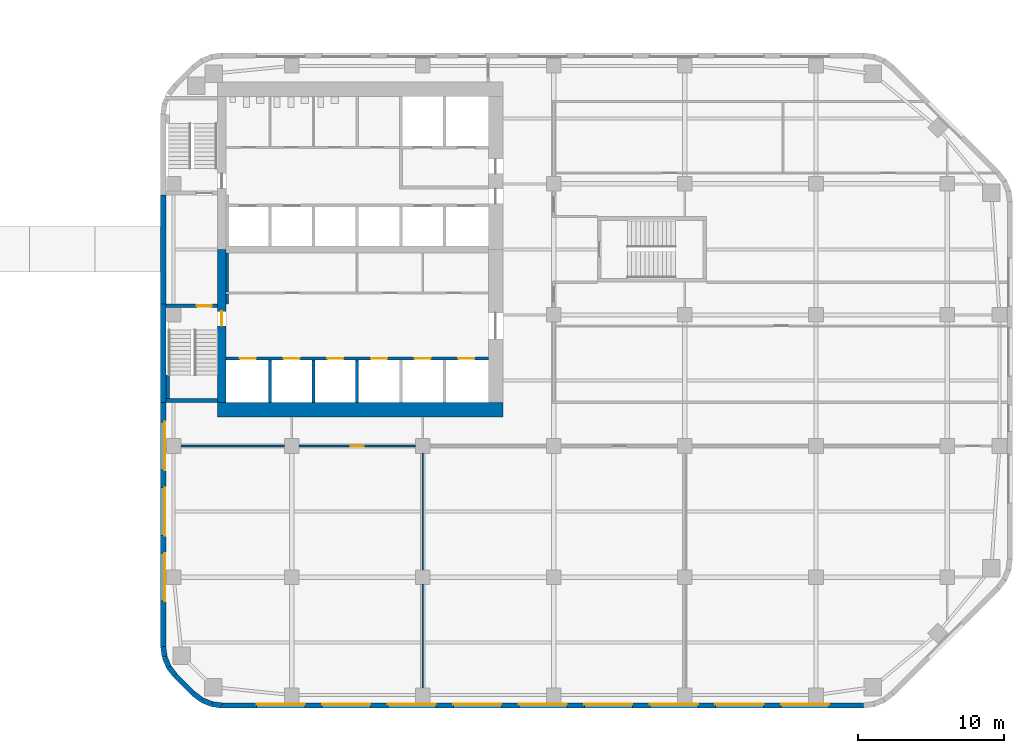
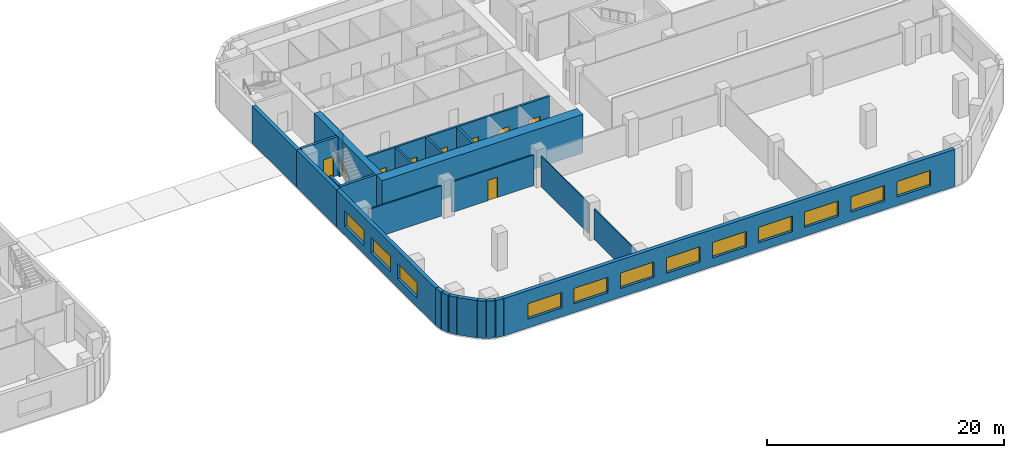
# One storey, part 8 of 15: 26 walls, 12 windows, 9 doors, 21 openings.
"""IFC4 building model written with IfcOpenShell, lengths in metres."""

from ifc_helpers import new_model, si_unit, direction, frame, frame_2d, origin, place, context, subcontext, project, spatial, rectangle, extrude, material, layer, layer_set, type_object, element, fill, save


model = new_model("IFC4")

# Units and contexts
model_context = context("Model", 3, precision=1e-05, world=origin(), true_north=direction((0.0, 1.0)))
body_context = subcontext(model_context, "Body", "Model", "MODEL_VIEW")
ifc_project = project(units=[si_unit("LENGTHUNIT", "METRE"), si_unit("AREAUNIT", "SQUARE_METRE"), si_unit("VOLUMEUNIT", "CUBIC_METRE"), si_unit("PLANEANGLEUNIT", "RADIAN"), si_unit("MASSUNIT", "GRAM", prefix="KILO")], contexts=[model_context])

# Site, building, storey
site_placement = place(None, origin())
site = spatial("IfcSite", under=ifc_project, at=site_placement, CompositionType="ELEMENT")
building_placement = place(site_placement, origin())
building = spatial("IfcBuilding", under=site, at=building_placement, Name="Cinnabar Reach Civic Tower", CompositionType="ELEMENT")
storey_placement = place(building_placement, frame((0.0, 0.0, 75.0)))
storey = spatial("IfcBuildingStorey", under=building, at=storey_placement, Name="L17", CompositionType="ELEMENT", Elevation=75.0)

# Walls
ifc_material_1 = material(Name="Facing brick with insulated backing", Category="masonry")
ifc_layer_1 = layer(ifc_material_1, 0.36)
ifc_layer_set_1 = layer_set([ifc_layer_1], Name="Brick corner wall")
wall_type_1 = type_object("IfcWallType", Name="Brick corner wall", PredefinedType="STANDARD", material=ifc_layer_set_1)
for number, where, z_axis, x_axis, name in (
    (1, (0.183, 4.2314, 0.0), (0.0, 0.0, 1.0), (0.13055608231, -0.99144092581, 0.0), "Brick corner wall"),
    (2, (0.2819, 3.5027, 0.0), (0.0, 0.0, 1.0), (0.382702709855, -0.923871547278, 0.0), "Brick corner wall"),
):
    element("IfcWall", number, at=place(storey_placement, frame(where, z_axis=z_axis, x_axis=x_axis)), inside=storey, type_object=wall_type_1, Name=name, PredefinedType="STANDARD", context=body_context, shape_type="SweptSolid", body=[
        extrude(rectangle(XDim=0.7131, YDim=0.36, at=frame_2d((0.3565, 0.0))), origin(), (0.0, 0.0, 1.0), 3.85),
    ])
for number, where, z_axis, x_axis, name in (
    (3, (0.566, 2.8245, 0.0), (0.0, 0.0, 1.0), (0.608802368033, -0.793321924995, 0.0), "Brick corner wall"),
    (4, (2.2587, 1.0002, 0.0), (0.0, 0.0, 1.0), (0.793321924995, -0.608802368033, 0.0), "Brick corner wall"),
):
    element("IfcWall", number, at=place(storey_placement, frame(where, z_axis=z_axis, x_axis=x_axis)), inside=storey, type_object=wall_type_1, Name=name, PredefinedType="STANDARD", context=body_context, shape_type="SweptSolid", body=[
        extrude(rectangle(XDim=0.7132, YDim=0.36, at=frame_2d((0.3566, 0.0))), origin(), (0.0, 0.0, 1.0), 3.85),
    ])
for number, where, z_axis, x_axis, name in (
    (5, (2.8439, 0.5548, 0.0), (0.0, 0.0, 1.0), (0.923871547278, -0.382702709855, 0.0), "Brick corner wall"),
    (6, (3.5244, 0.2761, 0.0), (0.0, 0.0, 1.0), (0.99144092581, -0.13055608231, 0.0), "Brick corner wall"),
):
    element("IfcWall", number, at=place(storey_placement, frame(where, z_axis=z_axis, x_axis=x_axis)), inside=storey, type_object=wall_type_1, Name=name, PredefinedType="STANDARD", context=body_context, shape_type="SweptSolid", body=[
        extrude(rectangle(XDim=0.7131, YDim=0.36, at=frame_2d((0.3565, 0.0))), origin(), (0.0, 0.0, 1.0), 3.85),
    ])

# Wall, openings, windows
ifc_layer_2 = layer(ifc_material_1, 0.36)
ifc_layer_set_2 = layer_set([ifc_layer_2], Name="Brick pier and spandrel wall")
wall_type_2 = type_object("IfcWallType", Name="Brick pier and spandrel wall", PredefinedType="STANDARD", material=ifc_layer_set_2)
wall_1_placement = place(storey_placement, frame((4.2426, 0.18, 0.0), z_axis=(0.0, 0.0, 1.0), x_axis=(1.0, 0.0, 0.0)))
wall_1 = element("IfcWall", 7, at=wall_1_placement, inside=storey, type_object=wall_type_2, Name="Brick facade wall", PredefinedType="STANDARD", context=body_context, shape_type="SweptSolid", body=[
    extrude(rectangle(XDim=44.0148, YDim=0.36, at=frame_2d((22.0074, 0.0))), origin(), (0.0, 0.0, 1.0), 3.85),
])
opening_1_placement = place(wall_1_placement, frame((2.3574, 0.0, 0.9)))
opening_1 = element("IfcOpeningElement", 8, at=opening_1_placement, cuts=wall_1, Name="Opening W1321", PredefinedType="OPENING", context=body_context, shape_type="SweptSolid", body=[
    extrude(rectangle(XDim=3.3, YDim=1.6, at=frame_2d((1.65, 0.8))), frame((0.0, 0.19, 0.0), z_axis=(0.0, -1.0, 0.0), x_axis=(1.0, 0.0, 0.0)), (0.0, 0.0, 1.0), 0.38),
])
opening_2_placement = place(wall_1_placement, frame((6.8574, 0.0, 0.9)))
opening_2 = element("IfcOpeningElement", 9, at=opening_2_placement, cuts=wall_1, Name="Opening W1322", PredefinedType="OPENING", context=body_context, shape_type="SweptSolid", body=[
    extrude(rectangle(XDim=3.3, YDim=1.6, at=frame_2d((1.65, 0.8))), frame((0.0, 0.19, 0.0), z_axis=(0.0, -1.0, 0.0), x_axis=(1.0, 0.0, 0.0)), (0.0, 0.0, 1.0), 0.38),
])
opening_3_placement = place(wall_1_placement, frame((11.3574, 0.0, 0.9)))
opening_3 = element("IfcOpeningElement", 10, at=opening_3_placement, cuts=wall_1, Name="Opening W1323", PredefinedType="OPENING", context=body_context, shape_type="SweptSolid", body=[
    extrude(rectangle(XDim=3.3, YDim=1.6, at=frame_2d((1.65, 0.8))), frame((0.0, 0.19, 0.0), z_axis=(0.0, -1.0, 0.0), x_axis=(1.0, 0.0, 0.0)), (0.0, 0.0, 1.0), 0.38),
])
opening_4_placement = place(wall_1_placement, frame((15.8574, 0.0, 0.9)))
opening_4 = element("IfcOpeningElement", 11, at=opening_4_placement, cuts=wall_1, Name="Opening W1324", PredefinedType="OPENING", context=body_context, shape_type="SweptSolid", body=[
    extrude(rectangle(XDim=3.3, YDim=1.6, at=frame_2d((1.65, 0.8))), frame((0.0, 0.19, 0.0), z_axis=(0.0, -1.0, 0.0), x_axis=(1.0, 0.0, 0.0)), (0.0, 0.0, 1.0), 0.38),
])
opening_5_placement = place(wall_1_placement, frame((20.3574, 0.0, 0.9)))
opening_5 = element("IfcOpeningElement", 12, at=opening_5_placement, cuts=wall_1, Name="Opening W1325", PredefinedType="OPENING", context=body_context, shape_type="SweptSolid", body=[
    extrude(rectangle(XDim=3.3, YDim=1.6, at=frame_2d((1.65, 0.8))), frame((0.0, 0.19, 0.0), z_axis=(0.0, -1.0, 0.0), x_axis=(1.0, 0.0, 0.0)), (0.0, 0.0, 1.0), 0.38),
])
opening_6_placement = place(wall_1_placement, frame((24.8574, 0.0, 0.9)))
opening_6 = element("IfcOpeningElement", 13, at=opening_6_placement, cuts=wall_1, Name="Opening W1326", PredefinedType="OPENING", context=body_context, shape_type="SweptSolid", body=[
    extrude(rectangle(XDim=3.3, YDim=1.6, at=frame_2d((1.65, 0.8))), frame((0.0, 0.19, 0.0), z_axis=(0.0, -1.0, 0.0), x_axis=(1.0, 0.0, 0.0)), (0.0, 0.0, 1.0), 0.38),
])
opening_7_placement = place(wall_1_placement, frame((29.3574, 0.0, 0.9)))
opening_7 = element("IfcOpeningElement", 14, at=opening_7_placement, cuts=wall_1, Name="Opening W1327", PredefinedType="OPENING", context=body_context, shape_type="SweptSolid", body=[
    extrude(rectangle(XDim=3.3, YDim=1.6, at=frame_2d((1.65, 0.8))), frame((0.0, 0.19, 0.0), z_axis=(0.0, -1.0, 0.0), x_axis=(1.0, 0.0, 0.0)), (0.0, 0.0, 1.0), 0.38),
])
opening_8_placement = place(wall_1_placement, frame((33.8574, 0.0, 0.9)))
opening_8 = element("IfcOpeningElement", 15, at=opening_8_placement, cuts=wall_1, Name="Opening W1328", PredefinedType="OPENING", context=body_context, shape_type="SweptSolid", body=[
    extrude(rectangle(XDim=3.3, YDim=1.6, at=frame_2d((1.65, 0.8))), frame((0.0, 0.19, 0.0), z_axis=(0.0, -1.0, 0.0), x_axis=(1.0, 0.0, 0.0)), (0.0, 0.0, 1.0), 0.38),
])
opening_9_placement = place(wall_1_placement, frame((38.3574, 0.0, 0.9)))
opening_9 = element("IfcOpeningElement", 16, at=opening_9_placement, cuts=wall_1, Name="Opening W1329", PredefinedType="OPENING", context=body_context, shape_type="SweptSolid", body=[
    extrude(rectangle(XDim=3.3, YDim=1.6, at=frame_2d((1.65, 0.8))), frame((0.0, 0.19, 0.0), z_axis=(0.0, -1.0, 0.0), x_axis=(1.0, 0.0, 0.0)), (0.0, 0.0, 1.0), 0.38),
])
ifc_material_2 = material(Name="Clear double glazing in aluminium frame", Category="aluminium")
window_type = type_object("IfcWindowType", Name="Deep-set window A", PartitioningType="SINGLE_PANEL", PredefinedType="WINDOW", material=ifc_material_2)
window_1_placement = place(opening_1_placement, origin())
window_1 = element("IfcWindow", 17, at=window_1_placement, inside=storey, type_object=window_type, Name="Window south face", OverallHeight=1.6, OverallWidth=3.3, PartitioningType="SINGLE_PANEL", PredefinedType="WINDOW", context=body_context, shape_type="SweptSolid", body=[
    extrude(rectangle(XDim=3.3, YDim=1.6, at=frame_2d((1.65, 0.8))), frame((0.0, 0.13, 0.0), z_axis=(0.0, -1.0, 0.0), x_axis=(1.0, 0.0, 0.0)), (0.0, 0.0, 1.0), 0.06),
])
fill(opening_1, window_1)
window_2_placement = place(opening_2_placement, origin())
window_2 = element("IfcWindow", 18, at=window_2_placement, inside=storey, type_object=window_type, Name="Window south face", OverallHeight=1.6, OverallWidth=3.3, PartitioningType="SINGLE_PANEL", PredefinedType="WINDOW", context=body_context, shape_type="SweptSolid", body=[
    extrude(rectangle(XDim=3.3, YDim=1.6, at=frame_2d((1.65, 0.8))), frame((0.0, 0.13, 0.0), z_axis=(0.0, -1.0, 0.0), x_axis=(1.0, 0.0, 0.0)), (0.0, 0.0, 1.0), 0.06),
])
fill(opening_2, window_2)
window_3_placement = place(opening_3_placement, origin())
window_3 = element("IfcWindow", 19, at=window_3_placement, inside=storey, type_object=window_type, Name="Window south face", OverallHeight=1.6, OverallWidth=3.3, PartitioningType="SINGLE_PANEL", PredefinedType="WINDOW", context=body_context, shape_type="SweptSolid", body=[
    extrude(rectangle(XDim=3.3, YDim=1.6, at=frame_2d((1.65, 0.8))), frame((0.0, 0.13, 0.0), z_axis=(0.0, -1.0, 0.0), x_axis=(1.0, 0.0, 0.0)), (0.0, 0.0, 1.0), 0.06),
])
fill(opening_3, window_3)
window_4_placement = place(opening_4_placement, origin())
window_4 = element("IfcWindow", 20, at=window_4_placement, inside=storey, type_object=window_type, Name="Window south face", OverallHeight=1.6, OverallWidth=3.3, PartitioningType="SINGLE_PANEL", PredefinedType="WINDOW", context=body_context, shape_type="SweptSolid", body=[
    extrude(rectangle(XDim=3.3, YDim=1.6, at=frame_2d((1.65, 0.8))), frame((0.0, 0.13, 0.0), z_axis=(0.0, -1.0, 0.0), x_axis=(1.0, 0.0, 0.0)), (0.0, 0.0, 1.0), 0.06),
])
fill(opening_4, window_4)
window_5_placement = place(opening_5_placement, origin())
window_5 = element("IfcWindow", 21, at=window_5_placement, inside=storey, type_object=window_type, Name="Window south face", OverallHeight=1.6, OverallWidth=3.3, PartitioningType="SINGLE_PANEL", PredefinedType="WINDOW", context=body_context, shape_type="SweptSolid", body=[
    extrude(rectangle(XDim=3.3, YDim=1.6, at=frame_2d((1.65, 0.8))), frame((0.0, 0.13, 0.0), z_axis=(0.0, -1.0, 0.0), x_axis=(1.0, 0.0, 0.0)), (0.0, 0.0, 1.0), 0.06),
])
fill(opening_5, window_5)
window_6_placement = place(opening_6_placement, origin())
window_6 = element("IfcWindow", 22, at=window_6_placement, inside=storey, type_object=window_type, Name="Window south face", OverallHeight=1.6, OverallWidth=3.3, PartitioningType="SINGLE_PANEL", PredefinedType="WINDOW", context=body_context, shape_type="SweptSolid", body=[
    extrude(rectangle(XDim=3.3, YDim=1.6, at=frame_2d((1.65, 0.8))), frame((0.0, 0.13, 0.0), z_axis=(0.0, -1.0, 0.0), x_axis=(1.0, 0.0, 0.0)), (0.0, 0.0, 1.0), 0.06),
])
fill(opening_6, window_6)
window_7_placement = place(opening_7_placement, origin())
window_7 = element("IfcWindow", 23, at=window_7_placement, inside=storey, type_object=window_type, Name="Window south face", OverallHeight=1.6, OverallWidth=3.3, PartitioningType="SINGLE_PANEL", PredefinedType="WINDOW", context=body_context, shape_type="SweptSolid", body=[
    extrude(rectangle(XDim=3.3, YDim=1.6, at=frame_2d((1.65, 0.8))), frame((0.0, 0.13, 0.0), z_axis=(0.0, -1.0, 0.0), x_axis=(1.0, 0.0, 0.0)), (0.0, 0.0, 1.0), 0.06),
])
fill(opening_7, window_7)
window_8_placement = place(opening_8_placement, origin())
window_8 = element("IfcWindow", 24, at=window_8_placement, inside=storey, type_object=window_type, Name="Window south face", OverallHeight=1.6, OverallWidth=3.3, PartitioningType="SINGLE_PANEL", PredefinedType="WINDOW", context=body_context, shape_type="SweptSolid", body=[
    extrude(rectangle(XDim=3.3, YDim=1.6, at=frame_2d((1.65, 0.8))), frame((0.0, 0.13, 0.0), z_axis=(0.0, -1.0, 0.0), x_axis=(1.0, 0.0, 0.0)), (0.0, 0.0, 1.0), 0.06),
])
fill(opening_8, window_8)
window_9_placement = place(opening_9_placement, origin())
window_9 = element("IfcWindow", 25, at=window_9_placement, inside=storey, type_object=window_type, Name="Window south face", OverallHeight=1.6, OverallWidth=3.3, PartitioningType="SINGLE_PANEL", PredefinedType="WINDOW", context=body_context, shape_type="SweptSolid", body=[
    extrude(rectangle(XDim=3.3, YDim=1.6, at=frame_2d((1.65, 0.8))), frame((0.0, 0.13, 0.0), z_axis=(0.0, -1.0, 0.0), x_axis=(1.0, 0.0, 0.0)), (0.0, 0.0, 1.0), 0.06),
])
fill(opening_9, window_9)

# Walls
wall_2_placement = place(storey_placement, frame((0.18, 35.25, 0.0), z_axis=(0.0, 0.0, 1.0), x_axis=(0.0, -1.0, 0.0)))
element("IfcWall", 26, at=wall_2_placement, inside=storey, type_object=wall_type_2, Name="Brick facade wall", PredefinedType="STANDARD", context=body_context, shape_type="SweptSolid", body=[
    extrude(rectangle(XDim=7.5, YDim=0.36, at=frame_2d((3.75, 0.0))), origin(), (0.0, 0.0, 1.0), 3.85),
])
wall_3_placement = place(storey_placement, frame((0.18, 27.75, 0.0), z_axis=(0.0, 0.0, 1.0), x_axis=(0.0, -1.0, 0.0)))
element("IfcWall", 27, at=wall_3_placement, inside=storey, type_object=wall_type_2, Name="Brick facade wall", PredefinedType="STANDARD", context=body_context, shape_type="SweptSolid", body=[
    extrude(rectangle(XDim=6.75, YDim=0.36, at=frame_2d((3.375, 0.0))), origin(), (0.0, 0.0, 1.0), 3.85),
])

# Wall, openings, windows
wall_4_placement = place(storey_placement, frame((0.18, 21.0, 0.0), z_axis=(0.0, 0.0, 1.0), x_axis=(0.0, -1.0, 0.0)))
wall_4 = element("IfcWall", 28, at=wall_4_placement, inside=storey, type_object=wall_type_2, Name="Brick facade wall", PredefinedType="STANDARD", context=body_context, shape_type="SweptSolid", body=[
    extrude(rectangle(XDim=16.7574, YDim=0.36, at=frame_2d((8.3787, 0.0))), origin(), (0.0, 0.0, 1.0), 3.85),
])
opening_10_placement = place(wall_4_placement, frame((1.35, 0.0, 0.9)))
opening_10 = element("IfcOpeningElement", 29, at=opening_10_placement, cuts=wall_4, Name="Opening W1345", PredefinedType="OPENING", context=body_context, shape_type="SweptSolid", body=[
    extrude(rectangle(XDim=3.3, YDim=1.6, at=frame_2d((1.65, 0.8))), frame((0.0, 0.19, 0.0), z_axis=(0.0, -1.0, 0.0), x_axis=(1.0, 0.0, 0.0)), (0.0, 0.0, 1.0), 0.38),
])
opening_11_placement = place(wall_4_placement, frame((5.85, 0.0, 0.9)))
opening_11 = element("IfcOpeningElement", 30, at=opening_11_placement, cuts=wall_4, Name="Opening W1346", PredefinedType="OPENING", context=body_context, shape_type="SweptSolid", body=[
    extrude(rectangle(XDim=3.3, YDim=1.6, at=frame_2d((1.65, 0.8))), frame((0.0, 0.19, 0.0), z_axis=(0.0, -1.0, 0.0), x_axis=(1.0, 0.0, 0.0)), (0.0, 0.0, 1.0), 0.38),
])
opening_12_placement = place(wall_4_placement, frame((10.35, 0.0, 0.9)))
opening_12 = element("IfcOpeningElement", 31, at=opening_12_placement, cuts=wall_4, Name="Opening W1347", PredefinedType="OPENING", context=body_context, shape_type="SweptSolid", body=[
    extrude(rectangle(XDim=3.3, YDim=1.6, at=frame_2d((1.65, 0.8))), frame((0.0, 0.19, 0.0), z_axis=(0.0, -1.0, 0.0), x_axis=(1.0, 0.0, 0.0)), (0.0, 0.0, 1.0), 0.38),
])
window_10_placement = place(opening_10_placement, origin())
window_10 = element("IfcWindow", 32, at=window_10_placement, inside=storey, type_object=window_type, Name="Window west face", OverallHeight=1.6, OverallWidth=3.3, PartitioningType="SINGLE_PANEL", PredefinedType="WINDOW", context=body_context, shape_type="SweptSolid", body=[
    extrude(rectangle(XDim=3.3, YDim=1.6, at=frame_2d((1.65, 0.8))), frame((0.0, 0.13, 0.0), z_axis=(0.0, -1.0, 0.0), x_axis=(1.0, 0.0, 0.0)), (0.0, 0.0, 1.0), 0.06),
])
fill(opening_10, window_10)
window_11_placement = place(opening_11_placement, origin())
window_11 = element("IfcWindow", 33, at=window_11_placement, inside=storey, type_object=window_type, Name="Window west face", OverallHeight=1.6, OverallWidth=3.3, PartitioningType="SINGLE_PANEL", PredefinedType="WINDOW", context=body_context, shape_type="SweptSolid", body=[
    extrude(rectangle(XDim=3.3, YDim=1.6, at=frame_2d((1.65, 0.8))), frame((0.0, 0.13, 0.0), z_axis=(0.0, -1.0, 0.0), x_axis=(1.0, 0.0, 0.0)), (0.0, 0.0, 1.0), 0.06),
])
fill(opening_11, window_11)
window_12_placement = place(opening_12_placement, origin())
window_12 = element("IfcWindow", 34, at=window_12_placement, inside=storey, type_object=window_type, Name="Window west face", OverallHeight=1.6, OverallWidth=3.3, PartitioningType="SINGLE_PANEL", PredefinedType="WINDOW", context=body_context, shape_type="SweptSolid", body=[
    extrude(rectangle(XDim=3.3, YDim=1.6, at=frame_2d((1.65, 0.8))), frame((0.0, 0.13, 0.0), z_axis=(0.0, -1.0, 0.0), x_axis=(1.0, 0.0, 0.0)), (0.0, 0.0, 1.0), 0.06),
])
fill(opening_12, window_12)

# Walls
wall_5_placement = place(storey_placement, frame((1.006, 2.2486, 0.0), z_axis=(0.0, 0.0, 1.0), x_axis=(0.707106781187, -0.707106781187, 0.0)))
element("IfcWall", 35, at=wall_5_placement, inside=storey, type_object=wall_type_2, Name="Brick facade wall", PredefinedType="STANDARD", context=body_context, shape_type="SweptSolid", body=[
    extrude(rectangle(XDim=1.7573, YDim=0.36, at=frame_2d((0.8787, 0.0))), origin(), (0.0, 0.0, 1.0), 3.85),
])
ifc_material_3 = material(Name="Concrete C70", Category="concrete")
ifc_layer_3 = layer(ifc_material_3, 1.0)
ifc_layer_set_3 = layer_set([ifc_layer_3], Name="Core wall 1000 EI 180")
wall_type_3 = type_object("IfcWallType", Name="Core wall 1000 EI 180", PredefinedType="SOLIDWALL", material=ifc_layer_set_3)
wall_6_placement = place(storey_placement, frame((3.9, 20.5, 0.0), z_axis=(0.0, 0.0, 1.0), x_axis=(1.0, 0.0, 0.0)))
element("IfcWall", 36, at=wall_6_placement, inside=storey, type_object=wall_type_3, Name="Core wall T1 L17 S", PredefinedType="SOLIDWALL", context=body_context, shape_type="SweptSolid", body=[
    extrude(rectangle(XDim=19.6, YDim=1.0, at=frame_2d((9.8, 0.0))), origin(), (0.0, 0.0, 1.0), 4.0),
])

# Wall, opening, door
ifc_layer_4 = layer(ifc_material_3, 0.6)
ifc_layer_set_4 = layer_set([ifc_layer_4], Name="Core wall 600 EI 180")
wall_type_4 = type_object("IfcWallType", Name="Core wall 600 EI 180", PredefinedType="SOLIDWALL", material=ifc_layer_set_4)
wall_7_placement = place(storey_placement, frame((4.2, 31.5, 0.0), z_axis=(0.0, 0.0, 1.0), x_axis=(0.0, -1.0, 0.0)))
wall_7 = element("IfcWall", 37, at=wall_7_placement, inside=storey, type_object=wall_type_4, Name="Core wall T1 L17 W2", PredefinedType="SOLIDWALL", context=body_context, shape_type="SweptSolid", body=[
    extrude(rectangle(XDim=10.5, YDim=0.6, at=frame_2d((5.25, 0.0))), origin(), (0.0, 0.0, 1.0), 4.0),
])
opening_13_placement = place(wall_7_placement, frame((4.25, 0.0, 0.0)))
opening_13 = element("IfcOpeningElement", 38, at=opening_13_placement, cuts=wall_7, Name="Opening D3675", PredefinedType="OPENING", context=body_context, shape_type="SweptSolid", body=[
    extrude(rectangle(XDim=1.0, YDim=2.1, at=frame_2d((0.5, 1.05))), frame((0.0, 0.31, 0.0), z_axis=(0.0, -1.0, 0.0), x_axis=(1.0, 0.0, 0.0)), (0.0, 0.0, 1.0), 0.62),
])
ifc_material_4 = material(Name="Timber door leaf in steel frame", Category="steel")
door_type_1 = type_object("IfcDoorType", Name="Stair door 1000 x 2100 T1", OperationType="SINGLE_SWING_LEFT", PredefinedType="DOOR", material=ifc_material_4)
door_1_placement = place(opening_13_placement, frame((1.0, 0.0, 0.0), z_axis=(0.0, 0.0, 1.0), x_axis=(-1.0, 0.0, 0.0)))
door_1 = element("IfcDoor", 39, at=door_1_placement, inside=storey, type_object=door_type_1, Name="Door D3675", OperationType="SINGLE_SWING_RIGHT", OverallHeight=2.1, OverallWidth=1.0, PredefinedType="DOOR", context=body_context, shape_type="SweptSolid", body=[
    extrude(rectangle(XDim=1.0, YDim=2.1, at=frame_2d((0.5, 1.05))), frame((0.0, 0.025, 0.0), z_axis=(0.0, -1.0, 0.0), x_axis=(1.0, 0.0, 0.0)), (0.0, 0.0, 1.0), 0.05),
])
fill(opening_13, door_1)

ifc_material_5 = material(Name="Gypsum board on steel studs, double layer", Category="steel")
ifc_layer_5 = layer(ifc_material_5, 0.15)
ifc_layer_set_5 = layer_set([ifc_layer_5], Name="Corridor wall 150 T1")
wall_type_5 = type_object("IfcWallType", Name="Corridor wall 150 T1", PredefinedType="PARTITIONING", material=ifc_layer_set_5)
wall_8_placement = place(storey_placement, frame((9.5, 18.0, 0.0), z_axis=(0.0, 0.0, 1.0), x_axis=(1.0, 0.0, 0.0)))
wall_8 = element("IfcWall", 40, at=wall_8_placement, inside=storey, type_object=wall_type_5, Name="Corridor wall 24", PredefinedType="PARTITIONING", context=body_context, shape_type="SweptSolid", body=[
    extrude(rectangle(XDim=8.0, YDim=0.15, at=frame_2d((4.0, 0.0))), origin(), (0.0, 0.0, 1.0), 3.15),
])
opening_14_placement = place(wall_8_placement, frame((3.55, 0.0, 0.0)))
opening_14 = element("IfcOpeningElement", 41, at=opening_14_placement, cuts=wall_8, Name="Opening D3707", PredefinedType="OPENING", context=body_context, shape_type="SweptSolid", body=[
    extrude(rectangle(XDim=0.9, YDim=2.1, at=frame_2d((0.45, 1.05))), frame((0.0, 0.085, 0.0), z_axis=(0.0, -1.0, 0.0), x_axis=(1.0, 0.0, 0.0)), (0.0, 0.0, 1.0), 0.17),
])
door_type_2 = type_object("IfcDoorType", Name="Single swing door 900 x 2100 corridor T1", OperationType="SINGLE_SWING_LEFT", PredefinedType="DOOR", material=ifc_material_4)
door_2_placement = place(opening_14_placement, frame((0.9, 0.0, 0.0), z_axis=(0.0, 0.0, 1.0), x_axis=(-1.0, 0.0, 0.0)))
door_2 = element("IfcDoor", 42, at=door_2_placement, inside=storey, type_object=door_type_2, Name="Door D3707", OperationType="SINGLE_SWING_RIGHT", OverallHeight=2.1, OverallWidth=0.9, PredefinedType="DOOR", context=body_context, shape_type="SweptSolid", body=[
    extrude(rectangle(XDim=0.9, YDim=2.1, at=frame_2d((0.45, 1.05))), frame((0.0, 0.025, 0.0), z_axis=(0.0, -1.0, 0.0), x_axis=(1.0, 0.0, 0.0)), (0.0, 0.0, 1.0), 0.05),
])
fill(opening_14, door_2)

# Walls
wall_9_placement = place(storey_placement, frame((1.4, 18.0, 0.0), z_axis=(0.0, 0.0, 1.0), x_axis=(1.0, 0.0, 0.0)))
element("IfcWall", 43, at=wall_9_placement, inside=storey, type_object=wall_type_5, Name="Corridor wall 25", PredefinedType="PARTITIONING", context=body_context, shape_type="SweptSolid", body=[
    extrude(rectangle(XDim=7.1, YDim=0.15, at=frame_2d((3.55, 0.0))), origin(), (0.0, 0.0, 1.0), 3.15),
])
wall_10_placement = place(storey_placement, frame((4.575, 27.75, 0.0), z_axis=(0.0, 0.0, 1.0), x_axis=(0.0, 1.0, 0.0)))
element("IfcWall", 44, at=wall_10_placement, inside=storey, type_object=wall_type_5, Name="Corridor wall 34", PredefinedType="PARTITIONING", context=body_context, shape_type="SweptSolid", body=[
    extrude(rectangle(XDim=0.675, YDim=0.15, at=frame_2d((0.3375, 0.0))), origin(), (0.0, 0.0, 1.0), 3.85),
])
wall_11_placement = place(storey_placement, frame((4.575, 28.575, 0.0), z_axis=(0.0, 0.0, 1.0), x_axis=(0.0, 1.0, 0.0)))
element("IfcWall", 45, at=wall_11_placement, inside=storey, type_object=wall_type_5, Name="Corridor wall 35", PredefinedType="PARTITIONING", context=body_context, shape_type="SweptSolid", body=[
    extrude(rectangle(XDim=2.675, YDim=0.15, at=frame_2d((1.3375, 0.0))), origin(), (0.0, 0.0, 1.0), 3.85),
])

# Wall, openings, doors
ifc_material_6 = material(Name="Blockwork", Category="masonry")
ifc_layer_6 = layer(ifc_material_6, 0.2)
ifc_layer_set_6 = layer_set([ifc_layer_6], Name="Lift shaft wall 200 T1")
wall_type_6 = type_object("IfcWallType", Name="Lift shaft wall 200 T1", PredefinedType="PARTITIONING", material=ifc_layer_set_6)
wall_12_placement = place(storey_placement, frame((4.5, 24.0, 0.0), z_axis=(0.0, 0.0, 1.0), x_axis=(1.0, 0.0, 0.0)))
wall_12 = element("IfcWall", 46, at=wall_12_placement, inside=storey, type_object=wall_type_6, Name="Lift shaft wall 4", PredefinedType="PARTITIONING", context=body_context, shape_type="SweptSolid", body=[
    extrude(rectangle(XDim=18.0, YDim=0.2, at=frame_2d((9.0, 0.0))), origin(), (0.0, 0.0, 1.0), 3.85),
])
opening_15_placement = place(wall_12_placement, frame((0.95, 0.0, 0.0)))
opening_15 = element("IfcOpeningElement", 47, at=opening_15_placement, cuts=wall_12, Name="Opening D3679", PredefinedType="OPENING", context=body_context, shape_type="SweptSolid", body=[
    extrude(rectangle(XDim=1.1, YDim=2.1, at=frame_2d((0.55, 1.05))), frame((0.0, 0.11, 0.0), z_axis=(0.0, -1.0, 0.0), x_axis=(1.0, 0.0, 0.0)), (0.0, 0.0, 1.0), 0.22),
])
opening_16_placement = place(wall_12_placement, frame((3.95, 0.0, 0.0)))
opening_16 = element("IfcOpeningElement", 48, at=opening_16_placement, cuts=wall_12, Name="Opening D3680", PredefinedType="OPENING", context=body_context, shape_type="SweptSolid", body=[
    extrude(rectangle(XDim=1.1, YDim=2.1, at=frame_2d((0.55, 1.05))), frame((0.0, 0.11, 0.0), z_axis=(0.0, -1.0, 0.0), x_axis=(1.0, 0.0, 0.0)), (0.0, 0.0, 1.0), 0.22),
])
opening_17_placement = place(wall_12_placement, frame((6.95, 0.0, 0.0)))
opening_17 = element("IfcOpeningElement", 49, at=opening_17_placement, cuts=wall_12, Name="Opening D3681", PredefinedType="OPENING", context=body_context, shape_type="SweptSolid", body=[
    extrude(rectangle(XDim=1.1, YDim=2.1, at=frame_2d((0.55, 1.05))), frame((0.0, 0.11, 0.0), z_axis=(0.0, -1.0, 0.0), x_axis=(1.0, 0.0, 0.0)), (0.0, 0.0, 1.0), 0.22),
])
opening_18_placement = place(wall_12_placement, frame((9.95, 0.0, 0.0)))
opening_18 = element("IfcOpeningElement", 50, at=opening_18_placement, cuts=wall_12, Name="Opening D3682", PredefinedType="OPENING", context=body_context, shape_type="SweptSolid", body=[
    extrude(rectangle(XDim=1.1, YDim=2.1, at=frame_2d((0.55, 1.05))), frame((0.0, 0.11, 0.0), z_axis=(0.0, -1.0, 0.0), x_axis=(1.0, 0.0, 0.0)), (0.0, 0.0, 1.0), 0.22),
])
opening_19_placement = place(wall_12_placement, frame((12.95, 0.0, 0.0)))
opening_19 = element("IfcOpeningElement", 51, at=opening_19_placement, cuts=wall_12, Name="Opening D3683", PredefinedType="OPENING", context=body_context, shape_type="SweptSolid", body=[
    extrude(rectangle(XDim=1.1, YDim=2.1, at=frame_2d((0.55, 1.05))), frame((0.0, 0.11, 0.0), z_axis=(0.0, -1.0, 0.0), x_axis=(1.0, 0.0, 0.0)), (0.0, 0.0, 1.0), 0.22),
])
opening_20_placement = place(wall_12_placement, frame((15.95, 0.0, 0.0)))
opening_20 = element("IfcOpeningElement", 52, at=opening_20_placement, cuts=wall_12, Name="Opening D3684", PredefinedType="OPENING", context=body_context, shape_type="SweptSolid", body=[
    extrude(rectangle(XDim=1.1, YDim=2.1, at=frame_2d((0.55, 1.05))), frame((0.0, 0.11, 0.0), z_axis=(0.0, -1.0, 0.0), x_axis=(1.0, 0.0, 0.0)), (0.0, 0.0, 1.0), 0.22),
])
ifc_material_7 = material(Name="Stainless steel sliding door", Category="steel")
door_type_3 = type_object("IfcDoorType", Name="Lift landing door 1100 x 2100 T1", OperationType="SLIDING_TO_LEFT", PredefinedType="DOOR", material=ifc_material_7)
door_3_placement = place(opening_15_placement, origin())
door_3 = element("IfcDoor", 53, at=door_3_placement, inside=storey, type_object=door_type_3, Name="Lift landing door LR1 L17", OperationType="SLIDING_TO_LEFT", OverallHeight=2.1, OverallWidth=1.1, PredefinedType="DOOR", context=body_context, shape_type="SweptSolid", body=[
    extrude(rectangle(XDim=1.1, YDim=2.1, at=frame_2d((0.55, 1.05))), frame((0.0, 0.025, 0.0), z_axis=(0.0, -1.0, 0.0), x_axis=(1.0, 0.0, 0.0)), (0.0, 0.0, 1.0), 0.05),
])
fill(opening_15, door_3)
door_4_placement = place(opening_16_placement, origin())
door_4 = element("IfcDoor", 54, at=door_4_placement, inside=storey, type_object=door_type_3, Name="Lift landing door LR2 L17", OperationType="SLIDING_TO_LEFT", OverallHeight=2.1, OverallWidth=1.1, PredefinedType="DOOR", context=body_context, shape_type="SweptSolid", body=[
    extrude(rectangle(XDim=1.1, YDim=2.1, at=frame_2d((0.55, 1.05))), frame((0.0, 0.025, 0.0), z_axis=(0.0, -1.0, 0.0), x_axis=(1.0, 0.0, 0.0)), (0.0, 0.0, 1.0), 0.05),
])
fill(opening_16, door_4)
door_5_placement = place(opening_17_placement, origin())
door_5 = element("IfcDoor", 55, at=door_5_placement, inside=storey, type_object=door_type_3, Name="Lift landing door LR3 L17", OperationType="SLIDING_TO_LEFT", OverallHeight=2.1, OverallWidth=1.1, PredefinedType="DOOR", context=body_context, shape_type="SweptSolid", body=[
    extrude(rectangle(XDim=1.1, YDim=2.1, at=frame_2d((0.55, 1.05))), frame((0.0, 0.025, 0.0), z_axis=(0.0, -1.0, 0.0), x_axis=(1.0, 0.0, 0.0)), (0.0, 0.0, 1.0), 0.05),
])
fill(opening_17, door_5)
door_6_placement = place(opening_18_placement, origin())
door_6 = element("IfcDoor", 56, at=door_6_placement, inside=storey, type_object=door_type_3, Name="Lift landing door LR4 L17", OperationType="SLIDING_TO_LEFT", OverallHeight=2.1, OverallWidth=1.1, PredefinedType="DOOR", context=body_context, shape_type="SweptSolid", body=[
    extrude(rectangle(XDim=1.1, YDim=2.1, at=frame_2d((0.55, 1.05))), frame((0.0, 0.025, 0.0), z_axis=(0.0, -1.0, 0.0), x_axis=(1.0, 0.0, 0.0)), (0.0, 0.0, 1.0), 0.05),
])
fill(opening_18, door_6)
door_7_placement = place(opening_19_placement, origin())
door_7 = element("IfcDoor", 57, at=door_7_placement, inside=storey, type_object=door_type_3, Name="Lift landing door LR5 L17", OperationType="SLIDING_TO_LEFT", OverallHeight=2.1, OverallWidth=1.1, PredefinedType="DOOR", context=body_context, shape_type="SweptSolid", body=[
    extrude(rectangle(XDim=1.1, YDim=2.1, at=frame_2d((0.55, 1.05))), frame((0.0, 0.025, 0.0), z_axis=(0.0, -1.0, 0.0), x_axis=(1.0, 0.0, 0.0)), (0.0, 0.0, 1.0), 0.05),
])
fill(opening_19, door_7)
door_8_placement = place(opening_20_placement, origin())
door_8 = element("IfcDoor", 58, at=door_8_placement, inside=storey, type_object=door_type_3, Name="Lift landing door LR6 L17", OperationType="SLIDING_TO_LEFT", OverallHeight=2.1, OverallWidth=1.1, PredefinedType="DOOR", context=body_context, shape_type="SweptSolid", body=[
    extrude(rectangle(XDim=1.1, YDim=2.1, at=frame_2d((0.55, 1.05))), frame((0.0, 0.025, 0.0), z_axis=(0.0, -1.0, 0.0), x_axis=(1.0, 0.0, 0.0)), (0.0, 0.0, 1.0), 0.05),
])
fill(opening_20, door_8)

# Walls
for number, where, z_axis, x_axis, name in (
    (59, (7.5, 21.0, 0.0), (0.0, 0.0, 1.0), (0.0, 1.0, 0.0), "Lift shaft wall 9"),
    (60, (10.5, 21.0, 0.0), (0.0, 0.0, 1.0), (0.0, 1.0, 0.0), "Lift shaft wall 11"),
    (61, (13.5, 21.0, 0.0), (0.0, 0.0, 1.0), (0.0, 1.0, 0.0), "Lift shaft wall 13"),
):
    element("IfcWall", number, at=place(storey_placement, frame(where, z_axis=z_axis, x_axis=x_axis)), inside=storey, type_object=wall_type_6, Name=name, PredefinedType="PARTITIONING", context=body_context, shape_type="SweptSolid", body=[
        extrude(rectangle(XDim=2.9, YDim=0.2, at=frame_2d((1.45, 0.0))), origin(), (0.0, 0.0, 1.0), 3.85),
    ])
ifc_material_8 = material(Name="Gypsum board on steel studs", Category="steel")
ifc_layer_7 = layer(ifc_material_8, 0.1)
ifc_layer_set_7 = layer_set([ifc_layer_7], Name="Partition wall 100 T1")
wall_type_7 = type_object("IfcWallType", Name="Partition wall 100 T1", PredefinedType="PARTITIONING", material=ifc_layer_set_7)
wall_13_placement = place(storey_placement, frame((18.0, 1.4, 0.0), z_axis=(0.0, 0.0, 1.0), x_axis=(0.0, 1.0, 0.0)))
element("IfcWall", 62, at=wall_13_placement, inside=storey, type_object=wall_type_7, Name="Partition wall 44", PredefinedType="PARTITIONING", context=body_context, shape_type="SweptSolid", body=[
    extrude(rectangle(XDim=7.1, YDim=0.1, at=frame_2d((3.55, 0.0))), origin(), (0.0, 0.0, 1.0), 3.158),
])
wall_14_placement = place(storey_placement, frame((18.0, 9.5, 0.0), z_axis=(0.0, 0.0, 1.0), x_axis=(0.0, 1.0, 0.0)))
element("IfcWall", 63, at=wall_14_placement, inside=storey, type_object=wall_type_7, Name="Partition wall 45", PredefinedType="PARTITIONING", context=body_context, shape_type="SweptSolid", body=[
    extrude(rectangle(XDim=8.0, YDim=0.1, at=frame_2d((4.0, 0.0))), origin(), (0.0, 0.0, 1.0), 3.158),
])
ifc_material_9 = material(Name="Concrete C60", Category="concrete")
ifc_layer_8 = layer(ifc_material_9, 0.25)
ifc_layer_set_8 = layer_set([ifc_layer_8], Name="Stair shaft wall 250 EI 120")
wall_type_8 = type_object("IfcWallType", Name="Stair shaft wall 250 EI 120", PredefinedType="SOLIDWALL", material=ifc_layer_set_8)
wall_15_placement = place(storey_placement, frame((0.36, 21.125, 0.0), z_axis=(0.0, 0.0, 1.0), x_axis=(1.0, 0.0, 0.0)))
element("IfcWall", 64, at=wall_15_placement, inside=storey, type_object=wall_type_8, Name="Stair shaft wall T1-S1 L17", PredefinedType="SOLIDWALL", context=body_context, shape_type="SweptSolid", body=[
    extrude(rectangle(XDim=3.54, YDim=0.25, at=frame_2d((1.77, 0.0))), origin(), (0.0, 0.0, 1.0), 4.0),
])

# Wall, opening, door
wall_16_placement = place(storey_placement, frame((3.9, 27.625, 0.0), z_axis=(0.0, 0.0, 1.0), x_axis=(-1.0, 0.0, 0.0)))
wall_16 = element("IfcWall", 65, at=wall_16_placement, inside=storey, type_object=wall_type_8, Name="Stair shaft wall T1-S1 L17", PredefinedType="SOLIDWALL", context=body_context, shape_type="SweptSolid", body=[
    extrude(rectangle(XDim=3.54, YDim=0.25, at=frame_2d((1.77, 0.0))), origin(), (0.0, 0.0, 1.0), 4.0),
])
opening_21_placement = place(wall_16_placement, frame((0.4, 0.0, 0.0)))
opening_21 = element("IfcOpeningElement", 66, at=opening_21_placement, cuts=wall_16, Name="Opening D3676", PredefinedType="OPENING", context=body_context, shape_type="SweptSolid", body=[
    extrude(rectangle(XDim=1.0, YDim=2.1, at=frame_2d((0.5, 1.05))), frame((0.0, 0.135, 0.0), z_axis=(0.0, -1.0, 0.0), x_axis=(1.0, 0.0, 0.0)), (0.0, 0.0, 1.0), 0.27),
])
door_9_placement = place(opening_21_placement, origin())
door_9 = element("IfcDoor", 67, at=door_9_placement, inside=storey, type_object=door_type_1, Name="Door D3676", OperationType="SINGLE_SWING_LEFT", OverallHeight=2.1, OverallWidth=1.0, PredefinedType="DOOR", context=body_context, shape_type="SweptSolid", body=[
    extrude(rectangle(XDim=1.0, YDim=2.1, at=frame_2d((0.5, 1.05))), frame((0.0, 0.025, 0.0), z_axis=(0.0, -1.0, 0.0), x_axis=(1.0, 0.0, 0.0)), (0.0, 0.0, 1.0), 0.05),
])
fill(opening_21, door_9)

# Wall
ifc_material_10 = material(Name="Concrete C40/50", Category="concrete")
ifc_layer_9 = layer(ifc_material_10, 0.24)
ifc_layer_set_9 = layer_set([ifc_layer_9], Name="T1 landing bearer wall 240")
wall_type_9 = type_object("IfcWallType", Name="T1 landing bearer wall 240", PredefinedType="STANDARD", material=ifc_layer_set_9)
wall_17_placement = place(storey_placement, frame((0.48, 21.25, 0.0), z_axis=(0.0, 0.0, 1.0), x_axis=(0.0, 1.0, 0.0)))
element("IfcWall", 68, at=wall_17_placement, inside=storey, type_object=wall_type_9, Name="T1-S1 landing bearer wall", PredefinedType="STANDARD", context=body_context, shape_type="SweptSolid", body=[
    extrude(rectangle(XDim=1.62, YDim=0.24, at=frame_2d((0.81, 0.0))), origin(), (0.0, 0.0, 1.0), 4.0),
])

save(model, "model.ifc")
